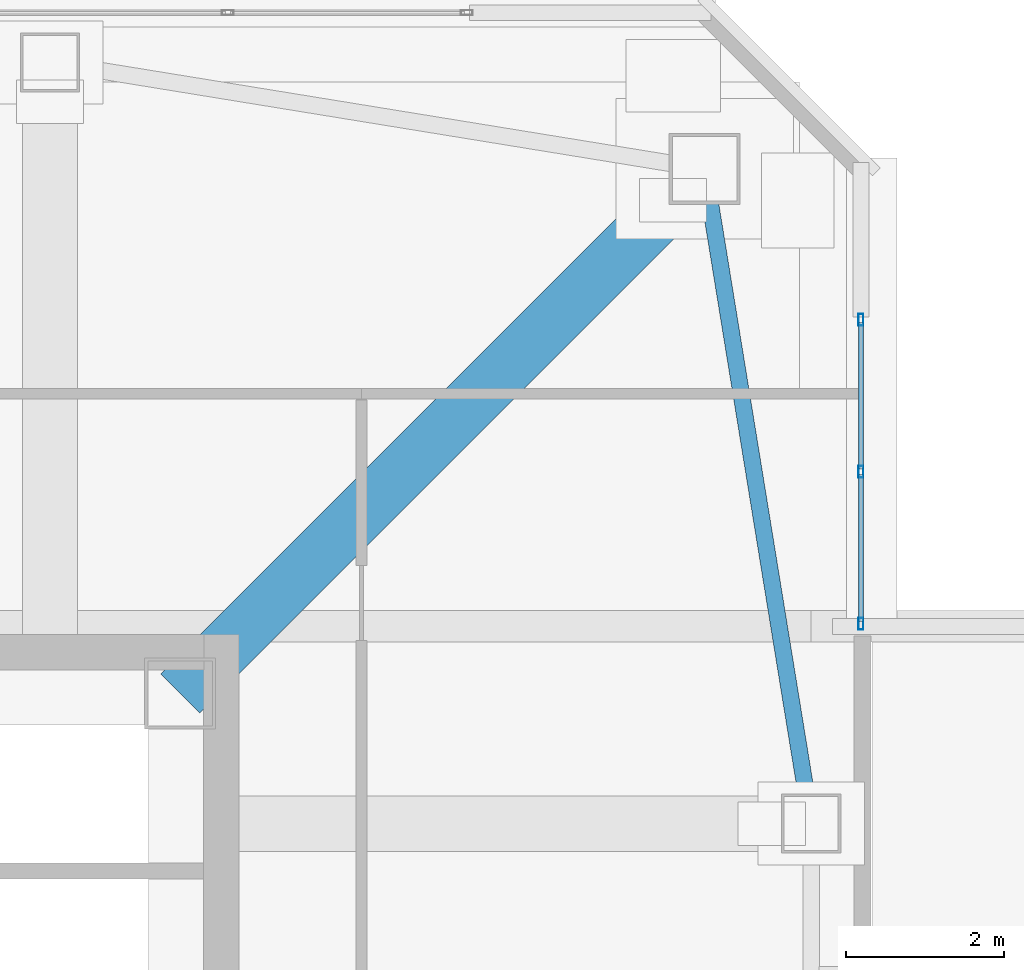
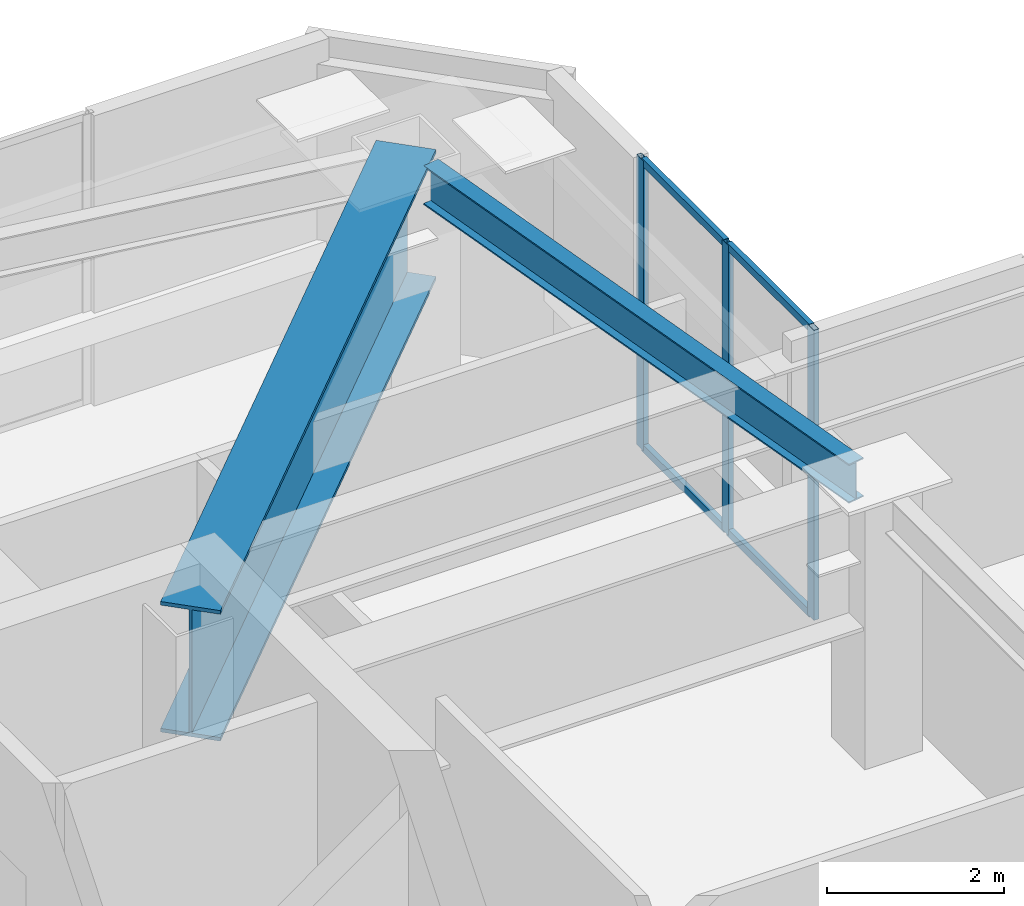
# One storey, part 15 of 51: 7 members, 2 beams, 1 element without a shape of its own.
"""IFC4 building model written with IfcOpenShell, lengths in metres."""

import ifcopenshell
import ifcopenshell.guid

model = None  # the IFC model being written
_history = None  # IfcOwnerHistory: only IFC2X3 demands one
_inside = {}  # id of a spatial element -> (the spatial element, [elements in it])
_under = {}  # id of a project, library or spatial element -> (it, [spatial elements below it])
_declared = {}  # id of a project -> (the project, [libraries it declares])
_typed = {}  # id of a type object -> (the type object, [elements of that type])
_made_of = {}  # id of a material, layer set ... -> (it, [elements and type objects made of it])


def new_model(schema):
    """Start an empty IFC model of exactly this schema.

    Asked for "IFC4X3", IfcOpenShell would pick the latest addendum, in which some entities
    have other attributes; the version numbers below select the first issue.
    IFC2X3 requires an IfcOwnerHistory on every rooted entity: one is made here for all.
    """
    global model, _history
    if schema == "IFC4X3":
        model = ifcopenshell.file(schema_version=(4, 3, 0, 0))
    else:
        model = ifcopenshell.file(schema=schema)
    _inside.clear()
    _under.clear()
    _declared.clear()
    _typed.clear()
    _made_of.clear()
    _history = None
    if model.schema == "IFC2X3":
        org = make("IfcOrganization", Name="unknown")
        user = make(
            "IfcPersonAndOrganization",
            ThePerson=make("IfcPerson", FamilyName="unknown"),
            TheOrganization=org,
        )
        app = make(
            "IfcApplication",
            ApplicationDeveloper=org,
            Version="unknown",
            ApplicationFullName="unknown",
            ApplicationIdentifier="unknown",
        )
        _history = make(
            "IfcOwnerHistory",
            OwningUser=user,
            OwningApplication=app,
            ChangeAction="ADDED",
            CreationDate=0,
        )
    return model


def make(cls, **values):
    """One entity of the class cls with the attributes given. An attribute that is None is left unset."""
    return model.create_entity(
        cls, **{name: value for name, value in values.items() if value is not None}
    )


def rooted(cls, **values):
    """An entity with a GlobalId (a new one), such as an element, a storey or a relation."""
    return make(cls, GlobalId=ifcopenshell.guid.new(), OwnerHistory=_history, **values)


def si_unit(unit_type, name, prefix=None):
    """IfcSIUnit, for example si_unit("LENGTHUNIT", "METRE", prefix="MILLI")."""
    return make("IfcSIUnit", UnitType=unit_type, Prefix=prefix, Name=name)


def assignment(units):
    """IfcUnitAssignment: the units of a project."""
    return None if units is None else make("IfcUnitAssignment", Units=units)


def point(xyz):
    """IfcCartesianPoint."""
    return None if xyz is None else make("IfcCartesianPoint", Coordinates=xyz)


def direction(xyz):
    """IfcDirection."""
    return None if xyz is None else make("IfcDirection", DirectionRatios=xyz)


def frame(location, z_axis=None, x_axis=None):
    """IfcAxis2Placement3D, a coordinate frame: its origin and axes. An axis left out is left unset."""
    return make(
        "IfcAxis2Placement3D",
        Location=point(location),
        Axis=direction(z_axis),
        RefDirection=direction(x_axis),
    )


def frame_2d(location, x_axis=None):
    """IfcAxis2Placement2D, a coordinate frame in the plane: its origin and x axis."""
    return make(
        "IfcAxis2Placement2D", Location=point(location), RefDirection=direction(x_axis)
    )


def origin():
    """The frame at (0, 0, 0) with its axes left unset."""
    return frame((0.0, 0.0, 0.0))


def origin_2d():
    """The frame at (0, 0) in the plane with its x axis left unset."""
    return frame_2d((0.0, 0.0))


def place(relative_to, where):
    """IfcLocalPlacement: puts the frame where relative to a parent placement (None: the world)."""
    return make(
        "IfcLocalPlacement", PlacementRelTo=relative_to, RelativePlacement=where
    )


def context(
    kind, dimensions, precision=None, world=None, true_north=None, identifier=None
):
    """IfcGeometricRepresentationContext, for example the 3D "Model" context."""
    return make(
        "IfcGeometricRepresentationContext",
        ContextIdentifier=identifier,
        ContextType=kind,
        CoordinateSpaceDimension=dimensions,
        Precision=precision,
        WorldCoordinateSystem=world,
        TrueNorth=true_north,
    )


def subcontext(parent, identifier, kind, view, scale=None):
    """IfcGeometricRepresentationSubContext, for example "Body" below "Model"."""
    return make(
        "IfcGeometricRepresentationSubContext",
        ContextIdentifier=identifier,
        ContextType=kind,
        ParentContext=parent,
        TargetScale=scale,
        TargetView=view,
    )


def project(units=None, contexts=None):
    """IfcProject with its units and contexts."""
    return rooted(
        "IfcProject",
        Name="project",
        RepresentationContexts=contexts,
        UnitsInContext=assignment(units),
    )


def spatial(cls, under=None, at=None, **own):
    """A site, building, storey or space (cls), placed at a placement, below another one or the project."""
    s = rooted(cls, ObjectPlacement=at, **own)
    if under is not None:
        _under.setdefault(under.id(), (under, []))[1].append(s)
    return s


def profile(cls, at=None, kind="AREA", **sizes):
    """A parametric profile (cls). Its sizes go by their IFC names, for example OverallWidth=200.0."""
    return make(cls, ProfileType=kind, Position=at, **sizes)


def hollow_rectangle(**sizes):
    """IfcRectangleHollowProfileDef."""
    return profile("IfcRectangleHollowProfileDef", **sizes)


def i_section(**sizes):
    """IfcIShapeProfileDef."""
    return profile("IfcIShapeProfileDef", **sizes)


def extrude(swept, where, along, depth):
    """IfcExtrudedAreaSolid: the profile swept, set in the frame where, extruded along a direction by depth."""
    return make(
        "IfcExtrudedAreaSolid",
        SweptArea=swept,
        Position=where,
        ExtrudedDirection=direction(along),
        Depth=depth,
    )


def shape(context_of_items, identifier, shape_type, items):
    """IfcShapeRepresentation: the items that make up one representation, for example the "Body"."""
    return make(
        "IfcShapeRepresentation",
        ContextOfItems=context_of_items,
        RepresentationIdentifier=identifier,
        RepresentationType=shape_type,
        Items=items,
    )


def material(Name=None, Category=None):
    """IfcMaterial."""
    return make("IfcMaterial", Name=Name, Category=Category)


def material_profile(
    of_material, cross_section, Name=None, Category=None, Priority=None
):
    """IfcMaterialProfile: a cross section and its material."""
    return make(
        "IfcMaterialProfile",
        Name=Name,
        Material=of_material,
        Profile=cross_section,
        Priority=Priority,
        Category=Category,
    )


def profile_set(profiles, Name=None, composite=None):
    """IfcMaterialProfileSet."""
    return make(
        "IfcMaterialProfileSet",
        Name=Name,
        MaterialProfiles=profiles,
        CompositeProfile=composite,
    )


def made_of(thing, what):
    """Note that an element or type object is made of a material, layer set ...; save() writes the relation."""
    if what is not None:
        _made_of.setdefault(what.id(), (what, []))[1].append(thing)
    return thing


def type_object(cls, material=None, **own):
    """A type object (cls), such as IfcWallType, which elements share."""
    return made_of(rooted(cls, **own), material)


def element(
    cls,
    number,
    at=None,
    inside=None,
    cuts=None,
    type_object=None,
    material=None,
    context=None,
    identifier="Body",
    shape_type=None,
    held_by="IfcProductDefinitionShape",
    body=None,
    shapes=None,
    **own,
):
    """One element of the class cls, such as IfcWall. Its Tag is "e" and its number.

    at: its placement. inside: the storey or other place that contains it. cuts: it is an
    opening in that element (IfcRelVoidsElement). A single representation is given by context,
    identifier, shape_type and body (its items); several are given by shapes. held_by: the class
    of the entity that holds the representations. save() writes the other relations.
    """
    e = rooted(cls, Tag="e%d" % number, ObjectPlacement=at, **own)
    if body is not None:
        shapes = [shape(context, identifier, shape_type, body)]
    if shapes is not None:
        e.Representation = make(held_by, Representations=shapes)
    if inside is not None:
        _inside.setdefault(inside.id(), (inside, []))[1].append(e)
    if cuts is not None:
        rooted(
            "IfcRelVoidsElement", RelatingBuildingElement=cuts, RelatedOpeningElement=e
        )
    if type_object is not None:
        _typed.setdefault(type_object.id(), (type_object, []))[1].append(e)
    return made_of(e, material)


def aggregate(whole, parts):
    """IfcRelAggregates: a whole, such as a stair, and the parts it consists of."""
    return rooted("IfcRelAggregates", RelatingObject=whole, RelatedObjects=parts)


def save(model, path):
    """Write the relations noted so far, then the file.

    IfcRelAggregates (storeys below a building ...), IfcRelContainedInSpatialStructure (elements
    in a storey), IfcRelDefinesByType, IfcRelAssociatesMaterial and IfcRelDeclares: one each for
    every whole, place, type object, material and project.
    """
    for whole, parts in _under.values():
        aggregate(whole, parts)
    for where, things in _inside.values():
        rooted(
            "IfcRelContainedInSpatialStructure",
            RelatedElements=things,
            RelatingStructure=where,
        )
    for kind, things in _typed.values():
        rooted("IfcRelDefinesByType", RelatedObjects=things, RelatingType=kind)
    for what, things in _made_of.values():
        rooted("IfcRelAssociatesMaterial", RelatedObjects=things, RelatingMaterial=what)
    for by, libraries in _declared.values():
        rooted("IfcRelDeclares", RelatingContext=by, RelatedDefinitions=libraries)
    model.write(path)


model = new_model("IFC4")

# Units and contexts
model_context = context("Model", 3, precision=1e-05, world=origin(), true_north=direction((0.0, 1.0)))
body_context = subcontext(model_context, "Body", "Model", "MODEL_VIEW")
ifc_project = project(units=[si_unit("LENGTHUNIT", "METRE"), si_unit("AREAUNIT", "SQUARE_METRE"), si_unit("VOLUMEUNIT", "CUBIC_METRE"), si_unit("PLANEANGLEUNIT", "RADIAN"), si_unit("MASSUNIT", "GRAM", prefix="KILO")], contexts=[model_context])

# Site, building, storey
site_placement = place(None, origin())
site = spatial("IfcSite", under=ifc_project, at=site_placement, CompositionType="ELEMENT")
building_placement = place(site_placement, origin())
building = spatial("IfcBuilding", under=site, at=building_placement, Name="Tashvorn Skyway Center", CompositionType="ELEMENT")
storey_placement = place(building_placement, frame((0.0, 0.0, 259.39990234375)))
storey = spatial("IfcBuildingStorey", under=building, at=storey_placement, Name="L70", CompositionType="ELEMENT", Elevation=259.39990234375)

# Beams
ifc_material_1 = material(Name="Steel ASTM A572 Grade 50", Category="steel")
ifc_material_profile_1 = material_profile(ifc_material_1, i_section(OverallWidth=0.699951171875, OverallDepth=1.800048828125, WebThickness=0.031982421875, FlangeThickness=0.050048828125, at=origin_2d()), Name="PG1800x700")
ifc_profile_set_1 = profile_set([ifc_material_profile_1], Name="Steel ASTM A572 Grade 50")
beam_type_1 = type_object("IfcBeamType", Name="BM-BEAM-PG1800x700", PredefinedType="BEAM", material=ifc_profile_set_1)
beam_1_placement = place(storey_placement, frame((55.699951171875, 45.699951171875, 2.800048828125), z_axis=(-0.707106781187, -0.707106781187, 0.0), x_axis=(0.707106781187, -0.707106781187, 0.0)))
element("IfcBeam", 1, at=beam_1_placement, inside=storey, type_object=beam_type_1, Name="Tower 1 L70 Setback Transfer Girder MC-NE", PredefinedType="BEAM", context=body_context, shape_type="SweptSolid", body=[
    extrude(i_section(OverallWidth=0.699951171875, OverallDepth=1.800048828125, WebThickness=0.031982421875, FlangeThickness=0.050048828125, at=origin_2d()), origin(), (0.0, 0.0, 1.0), 9.404296875),
])
ifc_material_2 = material(Name="Steel ASTM A992 Grade 50", Category="steel")
ifc_material_profile_2 = material_profile(ifc_material_2, i_section(OverallWidth=0.2109375, OverallDepth=0.5390625, WebThickness=0.01171875, FlangeThickness=0.018798828125, at=origin_2d()), Name="W21X73")
ifc_profile_set_2 = profile_set([ifc_material_profile_2], Name="Steel ASTM A992 Grade 50")
beam_type_2 = type_object("IfcBeamType", Name="BM-SPANDREL-W21X73", PredefinedType="SPANDREL", material=ifc_profile_set_2)
beam_2_placement = place(storey_placement, frame((56.990478515625, 37.76513671875, 3.4306640625), z_axis=(-0.160519005885, 0.987032749583, 0.0), x_axis=(-0.987032749583, -0.160519005885, 0.0)))
element("IfcBeam", 2, at=beam_2_placement, inside=storey, type_object=beam_type_2, Name="Tower 1 L70 Spandrel Beam 06", PredefinedType="SPANDREL", context=body_context, shape_type="SweptSolid", body=[
    extrude(i_section(OverallWidth=0.2109375, OverallDepth=0.5390625, WebThickness=0.01171875, FlangeThickness=0.018798828125, at=origin_2d()), origin(), (0.0, 0.0, 1.0), 7.593994140625),
])

# Curtain wall, members
ifc_material_3 = material(Name="Thermally broken bronze-anodized aluminium 6063-T6", Category="aluminium")
curtain_wall_type = type_object("IfcCurtainWallType", Name="CW-CW-SKY", PredefinedType="NOTDEFINED", material=ifc_material_3)
curtain_wall_placement = place(storey_placement, origin())
curtain_wall = element("IfcCurtainWall", 3, at=curtain_wall_placement, inside=storey, type_object=curtain_wall_type, Name="Tower 1 L70 East Curtain Wall A Glazing Group 1", PredefinedType="NOTDEFINED")
ifc_material_profile_3 = material_profile(ifc_material_3, hollow_rectangle(XDim=0.06494140625, YDim=0.14990234375, WallThickness=0.00390625, at=origin_2d()), Name="ALU-MULL-65x150")
ifc_profile_set_3 = profile_set([ifc_material_profile_3], Name="Thermally broken bronze-anodized aluminium 6063-T6")
member_type_1 = type_object("IfcMemberType", Name="CWM-CW-SKY", PredefinedType="MULLION", material=ifc_profile_set_3)
member_1_placement = place(storey_placement, frame((57.679931640625, 43.78759765625, 0.0), z_axis=(0.0, 0.0, 1.0), x_axis=(1.0, 0.0, 0.0)))
member_1 = element("IfcMember", 4, at=member_1_placement, type_object=member_type_1, Name="CW-SKY mullion 1", PredefinedType="MULLION", context=body_context, shape_type="SweptSolid", body=[
    extrude(hollow_rectangle(XDim=0.06494140625, YDim=0.14990234375, WallThickness=0.00390625, at=origin_2d()), origin(), (0.0, 0.0, 1.0), 4.0),
])
member_2_placement = place(storey_placement, frame((57.679931640625, 41.860107421875, 0.0), z_axis=(0.0, 0.0, 1.0), x_axis=(1.0, 0.0, 0.0)))
member_2 = element("IfcMember", 5, at=member_2_placement, type_object=member_type_1, Name="CW-SKY mullion 2", PredefinedType="MULLION", context=body_context, shape_type="SweptSolid", body=[
    extrude(hollow_rectangle(XDim=0.06494140625, YDim=0.14990234375, WallThickness=0.00390625, at=origin_2d()), origin(), (0.0, 0.0, 1.0), 4.0),
])
member_3_placement = place(storey_placement, frame((57.679931640625, 39.9326171875, 0.0), z_axis=(0.0, 0.0, 1.0), x_axis=(1.0, 0.0, 0.0)))
member_3 = element("IfcMember", 6, at=member_3_placement, type_object=member_type_1, Name="CW-SKY mullion 3", PredefinedType="MULLION", context=body_context, shape_type="SweptSolid", body=[
    extrude(hollow_rectangle(XDim=0.06494140625, YDim=0.14990234375, WallThickness=0.00390625, at=origin_2d()), origin(), (0.0, 0.0, 1.0), 4.0),
])
ifc_material_profile_4 = material_profile(ifc_material_3, hollow_rectangle(XDim=0.06494140625, YDim=0.10498046875, WallThickness=0.00390625, at=origin_2d()), Name="ALU-TRAN-65x105")
ifc_profile_set_4 = profile_set([ifc_material_profile_4], Name="Thermally broken bronze-anodized aluminium 6063-T6")
member_type_2 = type_object("IfcMemberType", Name="CWT-CW-SKY", PredefinedType="USERDEFINED", material=ifc_profile_set_4)
member_4_placement = place(storey_placement, frame((57.679931640625, 43.7548828125, 0.03271484375), z_axis=(0.0, -1.0, 0.0), x_axis=(1.0, 0.0, 0.0)))
member_4 = element("IfcMember", 7, at=member_4_placement, type_object=member_type_2, Name="CW-SKY transom 1.1", ObjectType="TRANSOM", PredefinedType="USERDEFINED", context=body_context, shape_type="SweptSolid", body=[
    extrude(hollow_rectangle(XDim=0.06494140625, YDim=0.10498046875, WallThickness=0.00390625, at=origin_2d()), origin(), (0.0, 0.0, 1.0), 1.8623046875),
])
member_5_placement = place(storey_placement, frame((57.679931640625, 43.7548828125, 3.967529296875), z_axis=(0.0, -1.0, 0.0), x_axis=(1.0, 0.0, 0.0)))
member_5 = element("IfcMember", 8, at=member_5_placement, type_object=member_type_2, Name="CW-SKY transom 1.2", ObjectType="TRANSOM", PredefinedType="USERDEFINED", context=body_context, shape_type="SweptSolid", body=[
    extrude(hollow_rectangle(XDim=0.06494140625, YDim=0.10498046875, WallThickness=0.00390625, at=origin_2d()), origin(), (0.0, 0.0, 1.0), 1.8623046875),
])
member_6_placement = place(storey_placement, frame((57.679931640625, 41.827392578125, 0.03271484375), z_axis=(0.0, -1.0, 0.0), x_axis=(1.0, 0.0, 0.0)))
member_6 = element("IfcMember", 9, at=member_6_placement, type_object=member_type_2, Name="CW-SKY transom 2.1", ObjectType="TRANSOM", PredefinedType="USERDEFINED", context=body_context, shape_type="SweptSolid", body=[
    extrude(hollow_rectangle(XDim=0.06494140625, YDim=0.10498046875, WallThickness=0.00390625, at=origin_2d()), origin(), (0.0, 0.0, 1.0), 1.8623046875),
])
member_7_placement = place(storey_placement, frame((57.679931640625, 41.827392578125, 3.967529296875), z_axis=(0.0, -1.0, 0.0), x_axis=(1.0, 0.0, 0.0)))
member_7 = element("IfcMember", 10, at=member_7_placement, type_object=member_type_2, Name="CW-SKY transom 2.2", ObjectType="TRANSOM", PredefinedType="USERDEFINED", context=body_context, shape_type="SweptSolid", body=[
    extrude(hollow_rectangle(XDim=0.06494140625, YDim=0.10498046875, WallThickness=0.00390625, at=origin_2d()), origin(), (0.0, 0.0, 1.0), 1.8623046875),
])
aggregate(curtain_wall, [member_1, member_2, member_3, member_4, member_5, member_6, member_7])

save(model, "model.ifc")
